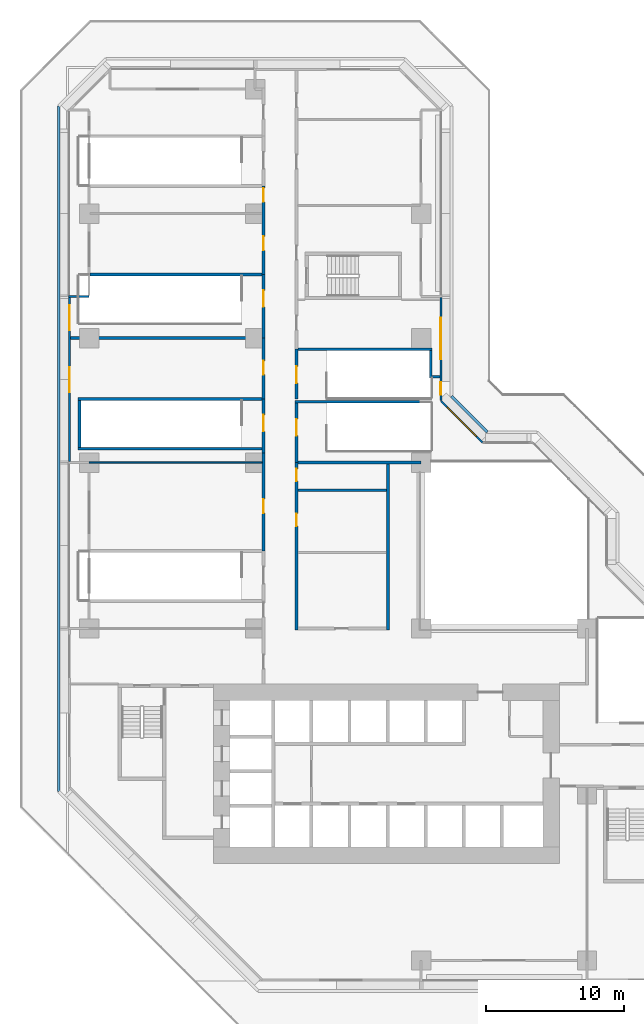
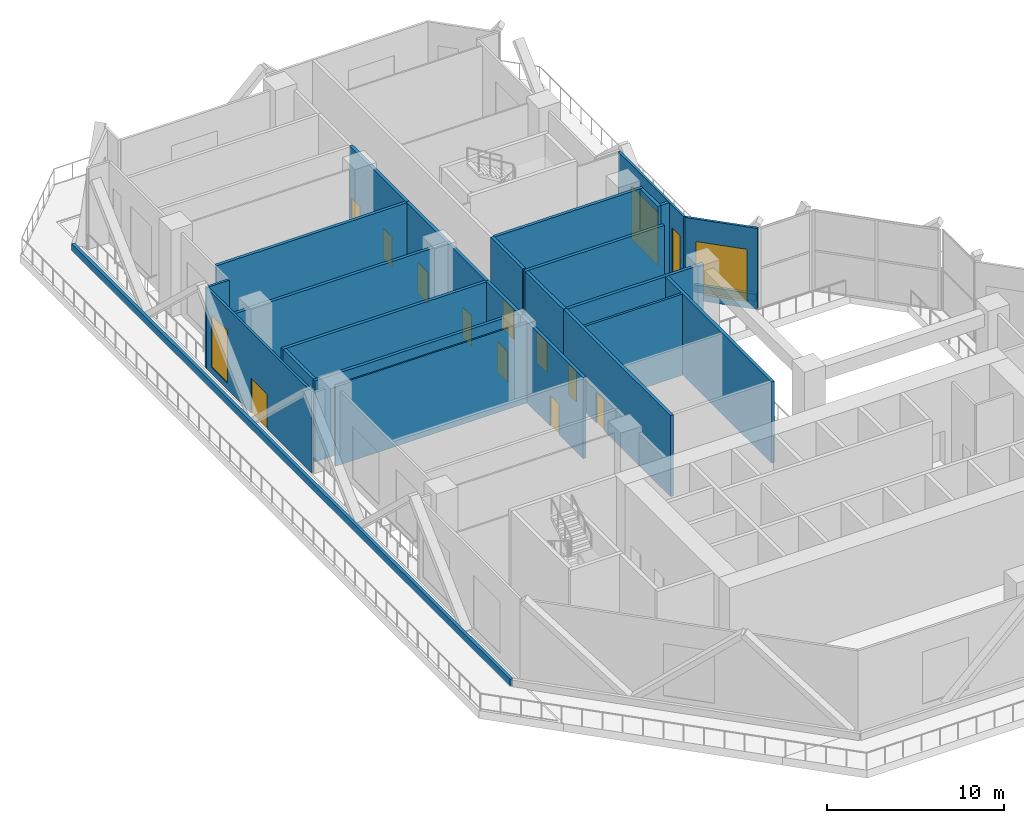
# One storey, part 7 of 16: 27 walls, 11 doors, 4 windows, 15 openings.
"""IFC4 building model written with IfcOpenShell, lengths in metres."""

from ifc_helpers import new_model, si_unit, direction, frame, frame_2d, origin, place, context, subcontext, project, spatial, rectangle, extrude, material, layer, layer_set, type_object, element, fill, save


model = new_model("IFC4")

# Units and contexts
model_context = context("Model", 3, precision=1e-05, world=origin(), true_north=direction((0.0, 1.0)))
body_context = subcontext(model_context, "Body", "Model", "MODEL_VIEW")
ifc_project = project(units=[si_unit("LENGTHUNIT", "METRE"), si_unit("AREAUNIT", "SQUARE_METRE"), si_unit("VOLUMEUNIT", "CUBIC_METRE"), si_unit("PLANEANGLEUNIT", "RADIAN"), si_unit("MASSUNIT", "GRAM", prefix="KILO")], contexts=[model_context])

# Site, building, storey
site_placement = place(None, origin())
site = spatial("IfcSite", under=ifc_project, at=site_placement, CompositionType="ELEMENT")
building_placement = place(site_placement, origin())
building = spatial("IfcBuilding", under=site, at=building_placement, Name="Chenar Terraces", CompositionType="ELEMENT")
storey_placement = place(building_placement, frame((0.0, 0.0, 35.39990234375)))
storey = spatial("IfcBuildingStorey", under=building, at=storey_placement, Name="L06", CompositionType="ELEMENT", Elevation=35.39990234375)

# Wall, opening, door
ifc_material_1 = material(Name="Gypsum board on steel studs with fire boards", Category="steel")
ifc_layer_1 = layer(ifc_material_1, 0.199951171875)
ifc_layer_set_1 = layer_set([ifc_layer_1], Name="Gypsum board on steel studs with fire boards")
wall_type_1 = type_object("IfcWallType", Name="Corridor wall 200", PredefinedType="PARTITIONING", material=ifc_layer_set_1)
wall_1_placement = place(storey_placement, frame((12.60009765625, 29.60009765625, 0.0), z_axis=(0.0, 0.0, 1.0), x_axis=(0.0, 1.0, 0.0)))
wall_1 = element("IfcWall", 1, at=wall_1_placement, inside=storey, type_object=wall_type_1, Name="Partition L06-017", PredefinedType="PARTITIONING", context=body_context, shape_type="SweptSolid", body=[
    extrude(rectangle(XDim=7.099853515625, YDim=0.199951171875, at=frame_2d((3.5498046875, 0.0))), origin(), (0.0, 0.0, 1.0), 5.60009765625),
])
opening_1_placement = place(wall_1_placement, frame((2.75, 0.0, 0.0)))
opening_1 = element("IfcOpeningElement", 2, at=opening_1_placement, cuts=wall_1, Name="Opening DL06-16", PredefinedType="OPENING", context=body_context, shape_type="SweptSolid", body=[
    extrude(rectangle(XDim=1.0, YDim=2.10009765625, at=frame_2d((0.5, 1.050048828125))), frame((0.0, 0.10986328125, 0.0), z_axis=(0.0, -1.0, 0.0), x_axis=(1.0, 0.0, 0.0)), (0.0, 0.0, 1.0), 0.219970703125),
])
ifc_material_2 = material(Name="Steel-framed fire-resisting door leaf", Category="steel")
door_type_1 = type_object("IfcDoorType", Name="Fire door FD60 1000 x 2100", OperationType="SINGLE_SWING_LEFT", PredefinedType="DOOR", material=ifc_material_2)
door_1_placement = place(opening_1_placement, origin())
door_1 = element("IfcDoor", 3, at=door_1_placement, inside=storey, type_object=door_type_1, Name="Door DL06-16", OperationType="SINGLE_SWING_RIGHT", OverallHeight=2.10009765625, OverallWidth=1.0, PredefinedType="DOOR", context=body_context, shape_type="SweptSolid", body=[
    extrude(rectangle(XDim=1.0, YDim=2.10009765625, at=frame_2d((0.5, 1.050048828125))), frame((0.0, 0.02490234375, 0.0), z_axis=(0.0, -1.0, 0.0), x_axis=(1.0, 0.0, 0.0)), (0.0, 0.0, 1.0), 0.050048828125),
])
fill(opening_1, door_1)

wall_2_placement = place(storey_placement, frame((12.60009765625, 40.60009765625, 0.0), z_axis=(0.0, 0.0, 1.0), x_axis=(0.0, 1.0, 0.0)))
wall_2 = element("IfcWall", 4, at=wall_2_placement, inside=storey, type_object=wall_type_1, Name="Partition L06-019", PredefinedType="PARTITIONING", context=body_context, shape_type="SweptSolid", body=[
    extrude(rectangle(XDim=4.39990234375, YDim=0.199951171875, at=frame_2d((2.199951171875, 0.0))), origin(), (0.0, 0.0, 1.0), 5.60009765625),
])
opening_2_placement = place(wall_2_placement, frame((1.75, 0.0, 0.0)))
opening_2 = element("IfcOpeningElement", 5, at=opening_2_placement, cuts=wall_2, Name="Opening DL06-18", PredefinedType="OPENING", context=body_context, shape_type="SweptSolid", body=[
    extrude(rectangle(XDim=1.0, YDim=2.10009765625, at=frame_2d((0.5, 1.050048828125))), frame((0.0, 0.10986328125, 0.0), z_axis=(0.0, -1.0, 0.0), x_axis=(1.0, 0.0, 0.0)), (0.0, 0.0, 1.0), 0.219970703125),
])
door_2_placement = place(opening_2_placement, origin())
door_2 = element("IfcDoor", 6, at=door_2_placement, inside=storey, type_object=door_type_1, Name="Door DL06-18", OperationType="SINGLE_SWING_RIGHT", OverallHeight=2.10009765625, OverallWidth=1.0, PredefinedType="DOOR", context=body_context, shape_type="SweptSolid", body=[
    extrude(rectangle(XDim=1.0, YDim=2.10009765625, at=frame_2d((0.5, 1.050048828125))), frame((0.0, 0.02490234375, 0.0), z_axis=(0.0, -1.0, 0.0), x_axis=(1.0, 0.0, 0.0)), (0.0, 0.0, 1.0), 0.050048828125),
])
fill(opening_2, door_2)

# Wall, openings, doors
wall_3_placement = place(storey_placement, frame((12.60009765625, 49.60009765625, 0.0), z_axis=(0.0, 0.0, 1.0), x_axis=(0.0, 1.0, 0.0)))
wall_3 = element("IfcWall", 7, at=wall_3_placement, inside=storey, type_object=wall_type_1, Name="Partition L06-021", PredefinedType="PARTITIONING", context=body_context, shape_type="SweptSolid", body=[
    extrude(rectangle(XDim=6.39990234375, YDim=0.199951171875, at=frame_2d((3.199951171875, 0.0))), origin(), (0.0, 0.0, 1.0), 5.60009765625),
])
opening_3_placement = place(wall_3_placement, frame((1.75, 0.0, 0.0)))
opening_3 = element("IfcOpeningElement", 8, at=opening_3_placement, cuts=wall_3, Name="Opening DL06-19", PredefinedType="OPENING", context=body_context, shape_type="SweptSolid", body=[
    extrude(rectangle(XDim=1.0, YDim=2.10009765625, at=frame_2d((0.5, 1.050048828125))), frame((0.0, 0.10986328125, 0.0), z_axis=(0.0, -1.0, 0.0), x_axis=(1.0, 0.0, 0.0)), (0.0, 0.0, 1.0), 0.219970703125),
])
opening_4_placement = place(wall_3_placement, frame((5.25, 0.0, 0.0)))
opening_4 = element("IfcOpeningElement", 9, at=opening_4_placement, cuts=wall_3, Name="Opening DL06-20", PredefinedType="OPENING", context=body_context, shape_type="SweptSolid", body=[
    extrude(rectangle(XDim=1.0, YDim=2.10009765625, at=frame_2d((0.5, 1.050048828125))), frame((0.0, 0.10986328125, 0.0), z_axis=(0.0, -1.0, 0.0), x_axis=(1.0, 0.0, 0.0)), (0.0, 0.0, 1.0), 0.219970703125),
])
door_3_placement = place(opening_3_placement, origin())
door_3 = element("IfcDoor", 10, at=door_3_placement, inside=storey, type_object=door_type_1, Name="Door DL06-19", OperationType="SINGLE_SWING_RIGHT", OverallHeight=2.10009765625, OverallWidth=1.0, PredefinedType="DOOR", context=body_context, shape_type="SweptSolid", body=[
    extrude(rectangle(XDim=1.0, YDim=2.10009765625, at=frame_2d((0.5, 1.050048828125))), frame((0.0, 0.02490234375, 0.0), z_axis=(0.0, -1.0, 0.0), x_axis=(1.0, 0.0, 0.0)), (0.0, 0.0, 1.0), 0.050048828125),
])
fill(opening_3, door_3)
door_4_placement = place(opening_4_placement, origin())
door_4 = element("IfcDoor", 11, at=door_4_placement, inside=storey, type_object=door_type_1, Name="Door DL06-20", OperationType="SINGLE_SWING_RIGHT", OverallHeight=2.10009765625, OverallWidth=1.0, PredefinedType="DOOR", context=body_context, shape_type="SweptSolid", body=[
    extrude(rectangle(XDim=1.0, YDim=2.10009765625, at=frame_2d((0.5, 1.050048828125))), frame((0.0, 0.02490234375, 0.0), z_axis=(0.0, -1.0, 0.0), x_axis=(1.0, 0.0, 0.0)), (0.0, 0.0, 1.0), 0.050048828125),
])
fill(opening_4, door_4)

wall_4_placement = place(storey_placement, frame((15.0, 23.89990234375, 0.0), z_axis=(0.0, 0.0, 1.0), x_axis=(0.0, 1.0, 0.0)))
wall_4 = element("IfcWall", 12, at=wall_4_placement, inside=storey, type_object=wall_type_1, Name="Partition L06-025", PredefinedType="PARTITIONING", context=body_context, shape_type="SweptSolid", body=[
    extrude(rectangle(XDim=12.10009765625, YDim=0.199951171875, at=frame_2d((6.050048828125, 0.0))), origin(), (0.0, 0.0, 1.0), 5.60009765625),
])
opening_5_placement = place(wall_4_placement, frame((10.75, 0.0, 0.0)))
opening_5 = element("IfcOpeningElement", 13, at=opening_5_placement, cuts=wall_4, Name="Opening DL06-32", PredefinedType="OPENING", context=body_context, shape_type="SweptSolid", body=[
    extrude(rectangle(XDim=0.89990234375, YDim=2.10009765625, at=frame_2d((0.449951171875, 1.050048828125))), frame((0.0, 0.10986328125, 0.0), z_axis=(0.0, -1.0, 0.0), x_axis=(1.0, 0.0, 0.0)), (0.0, 0.0, 1.0), 0.219970703125),
])
opening_6_placement = place(wall_4_placement, frame((7.5, 0.0, 0.0)))
opening_6 = element("IfcOpeningElement", 14, at=opening_6_placement, cuts=wall_4, Name="Opening DL06-33", PredefinedType="OPENING", context=body_context, shape_type="SweptSolid", body=[
    extrude(rectangle(XDim=0.89990234375, YDim=2.10009765625, at=frame_2d((0.449951171875, 1.050048828125))), frame((0.0, 0.10986328125, 0.0), z_axis=(0.0, -1.0, 0.0), x_axis=(1.0, 0.0, 0.0)), (0.0, 0.0, 1.0), 0.219970703125),
])
ifc_material_3 = material(Name="Steel-framed fire-resisting door leaf", Category="steel")
door_type_2 = type_object("IfcDoorType", Name="Fire door FD60 900 x 2100", OperationType="SINGLE_SWING_LEFT", PredefinedType="DOOR", material=ifc_material_3)
door_5_placement = place(opening_5_placement, frame((0.89990234375, 0.0, 0.0), z_axis=(0.0, 0.0, 1.0), x_axis=(-1.0, 0.0, 0.0)))
door_5 = element("IfcDoor", 15, at=door_5_placement, inside=storey, type_object=door_type_2, Name="Door DL06-32", OperationType="SINGLE_SWING_LEFT", OverallHeight=2.10009765625, OverallWidth=0.89990234375, PredefinedType="DOOR", context=body_context, shape_type="SweptSolid", body=[
    extrude(rectangle(XDim=0.89990234375, YDim=2.10009765625, at=frame_2d((0.449951171875, 1.050048828125))), frame((0.0, 0.02490234375, 0.0), z_axis=(0.0, -1.0, 0.0), x_axis=(1.0, 0.0, 0.0)), (0.0, 0.0, 1.0), 0.050048828125),
])
fill(opening_5, door_5)
door_6_placement = place(opening_6_placement, frame((0.89990234375, 0.0, 0.0), z_axis=(0.0, 0.0, 1.0), x_axis=(-1.0, 0.0, 0.0)))
door_6 = element("IfcDoor", 16, at=door_6_placement, inside=storey, type_object=door_type_2, Name="Door DL06-33", OperationType="SINGLE_SWING_RIGHT", OverallHeight=2.10009765625, OverallWidth=0.89990234375, PredefinedType="DOOR", context=body_context, shape_type="SweptSolid", body=[
    extrude(rectangle(XDim=0.89990234375, YDim=2.10009765625, at=frame_2d((0.449951171875, 1.050048828125))), frame((0.0, 0.02490234375, 0.0), z_axis=(0.0, -1.0, 0.0), x_axis=(1.0, 0.0, 0.0)), (0.0, 0.0, 1.0), 0.050048828125),
])
fill(opening_6, door_6)

# Wall
wall_5_placement = place(storey_placement, frame((21.60009765625, 23.89990234375, 0.0), z_axis=(0.0, 0.0, 1.0), x_axis=(0.0, 1.0, 0.0)))
element("IfcWall", 17, at=wall_5_placement, inside=storey, type_object=wall_type_1, Name="Partition L06-037", PredefinedType="PARTITIONING", context=body_context, shape_type="SweptSolid", body=[
    extrude(rectangle(XDim=12.0, YDim=0.199951171875, at=frame_2d((6.0, 0.0))), origin(), (0.0, 0.0, 1.0), 5.60009765625),
])

# Wall, openings, windows
ifc_material_4 = material(Name="Aluminium framed glazing", Category="aluminium")
ifc_layer_2 = layer(ifc_material_4, 0.14990234375)
ifc_layer_set_2 = layer_set([ifc_layer_2], Name="Aluminium framed glazing")
wall_type_2 = type_object("IfcWallType", Name="Glazed flush facade wall 150", PredefinedType="SOLIDWALL", material=ifc_layer_set_2)
wall_6_placement = place(storey_placement, frame((25.425048828125, 40.5, 0.0), z_axis=(0.0, 0.0, 1.0), x_axis=(0.0, 1.0, 0.0)))
wall_6 = element("IfcWall", 18, at=wall_6_placement, inside=storey, type_object=wall_type_2, Name="Glazed flush facade wall", PredefinedType="SOLIDWALL", context=body_context, shape_type="SweptSolid", body=[
    extrude(rectangle(XDim=7.425048828125, YDim=0.14990234375, at=frame_2d((3.71240234375, 0.0))), origin(), (0.0, 0.0, 1.0), 5.60009765625),
])
opening_7_placement = place(wall_6_placement, frame((0.39990234375, 0.0, 0.449951171875)))
opening_7 = element("IfcOpeningElement", 19, at=opening_7_placement, cuts=wall_6, Name="Opening W90x360", PredefinedType="OPENING", context=body_context, shape_type="SweptSolid", body=[
    extrude(rectangle(XDim=0.89990234375, YDim=3.60009765625, at=frame_2d((0.449951171875, 1.800048828125))), frame((0.0, 0.0849609375, 0.0), z_axis=(0.0, -1.0, 0.0), x_axis=(1.0, 0.0, 0.0)), (0.0, 0.0, 1.0), 0.169921875),
])
opening_8_placement = place(wall_6_placement, frame((2.987548828125, 0.0, 0.449951171875)))
opening_8 = element("IfcOpeningElement", 20, at=opening_8_placement, cuts=wall_6, Name="Opening W300x360", PredefinedType="OPENING", context=body_context, shape_type="SweptSolid", body=[
    extrude(rectangle(XDim=3.0, YDim=3.60009765625, at=frame_2d((1.5, 1.800048828125))), frame((0.0, 0.0849609375, 0.0), z_axis=(0.0, -1.0, 0.0), x_axis=(1.0, 0.0, 0.0)), (0.0, 0.0, 1.0), 0.169921875),
])
ifc_material_5 = material(Name="Low emissivity double glazing, aluminium frame", Category="aluminium")
window_type_1 = type_object("IfcWindowType", Name="Fixed light 3000 x 3600", PartitioningType="SINGLE_PANEL", PredefinedType="WINDOW", material=ifc_material_5)
window_1_placement = place(opening_8_placement, origin())
window_1 = element("IfcWindow", 21, at=window_1_placement, inside=storey, type_object=window_type_1, Name="Window", OverallHeight=3.60009765625, OverallWidth=3.0, PartitioningType="SINGLE_PANEL", PredefinedType="WINDOW", context=body_context, shape_type="SweptSolid", body=[
    extrude(rectangle(XDim=3.0, YDim=3.60009765625, at=frame_2d((1.5, 1.800048828125))), frame((0.0, 0.030029296875, 0.0), z_axis=(0.0, -1.0, 0.0), x_axis=(1.0, 0.0, 0.0)), (0.0, 0.0, 1.0), 0.06005859375),
])
fill(opening_8, window_1)
ifc_material_6 = material(Name="Low emissivity double glazing, aluminium frame", Category="aluminium")
window_type_2 = type_object("IfcWindowType", Name="Fixed light 900 x 3600", PartitioningType="SINGLE_PANEL", PredefinedType="WINDOW", material=ifc_material_6)
window_2_placement = place(opening_7_placement, origin())
window_2 = element("IfcWindow", 22, at=window_2_placement, inside=storey, type_object=window_type_2, Name="Window", OverallHeight=3.60009765625, OverallWidth=0.89990234375, PartitioningType="SINGLE_PANEL", PredefinedType="WINDOW", context=body_context, shape_type="SweptSolid", body=[
    extrude(rectangle(XDim=0.89990234375, YDim=3.60009765625, at=frame_2d((0.449951171875, 1.800048828125))), frame((0.0, 0.030029296875, 0.0), z_axis=(0.0, -1.0, 0.0), x_axis=(1.0, 0.0, 0.0)), (0.0, 0.0, 1.0), 0.06005859375),
])
fill(opening_7, window_2)

# Wall, openings, window, door
wall_7_placement = place(storey_placement, frame((-1.425048828125, 47.925048828125, 0.0), z_axis=(0.0, 0.0, 1.0), x_axis=(0.0, -1.0, 0.0)))
wall_7 = element("IfcWall", 23, at=wall_7_placement, inside=storey, type_object=wall_type_2, Name="Glazed flush facade wall", PredefinedType="SOLIDWALL", context=body_context, shape_type="SweptSolid", body=[
    extrude(rectangle(XDim=11.85009765625, YDim=0.14990234375, at=frame_2d((5.925048828125, 0.0))), origin(), (0.0, 0.0, 1.0), 5.60009765625),
])
opening_9_placement = place(wall_7_placement, frame((0.5625, 0.0, 0.449951171875)))
opening_9 = element("IfcOpeningElement", 24, at=opening_9_placement, cuts=wall_7, Name="Opening W180x360", PredefinedType="OPENING", context=body_context, shape_type="SweptSolid", body=[
    extrude(rectangle(XDim=1.800048828125, YDim=3.60009765625, at=frame_2d((0.89990234375, 1.800048828125))), frame((0.0, 0.0849609375, 0.0), z_axis=(0.0, -1.0, 0.0), x_axis=(1.0, 0.0, 0.0)), (0.0, 0.0, 1.0), 0.169921875),
])
opening_10_placement = place(wall_7_placement, frame((5.050048828125, 0.0, 0.0)))
opening_10 = element("IfcOpeningElement", 25, at=opening_10_placement, cuts=wall_7, Name="Opening DL06-X2", PredefinedType="OPENING", context=body_context, shape_type="SweptSolid", body=[
    extrude(rectangle(XDim=1.800048828125, YDim=2.39990234375, at=frame_2d((0.89990234375, 1.199951171875))), frame((0.0, 0.0849609375, 0.0), z_axis=(0.0, -1.0, 0.0), x_axis=(1.0, 0.0, 0.0)), (0.0, 0.0, 1.0), 0.169921875),
])
ifc_material_7 = material(Name="Low emissivity double glazing, aluminium frame", Category="aluminium")
window_type_3 = type_object("IfcWindowType", Name="Fixed light 1800 x 3600", PartitioningType="SINGLE_PANEL", PredefinedType="WINDOW", material=ifc_material_7)
window_3_placement = place(opening_9_placement, origin())
window_3 = element("IfcWindow", 26, at=window_3_placement, inside=storey, type_object=window_type_3, Name="Window", OverallHeight=3.60009765625, OverallWidth=1.800048828125, PartitioningType="SINGLE_PANEL", PredefinedType="WINDOW", context=body_context, shape_type="SweptSolid", body=[
    extrude(rectangle(XDim=1.800048828125, YDim=3.60009765625, at=frame_2d((0.89990234375, 1.800048828125))), frame((0.0, 0.030029296875, 0.0), z_axis=(0.0, -1.0, 0.0), x_axis=(1.0, 0.0, 0.0)), (0.0, 0.0, 1.0), 0.06005859375),
])
fill(opening_9, window_3)
ifc_material_8 = material(Name="Low emissivity double glazing, aluminium frame", Category="aluminium")
door_type_3 = type_object("IfcDoorType", Name="Terrace glazed double door 1800 x 2400", OperationType="DOUBLE_DOOR_SINGLE_SWING", PredefinedType="DOOR", material=ifc_material_8)
door_7_placement = place(opening_10_placement, origin())
door_7 = element("IfcDoor", 27, at=door_7_placement, inside=storey, type_object=door_type_3, Name="Terrace glazed door", OperationType="DOUBLE_DOOR_SINGLE_SWING", OverallHeight=2.39990234375, OverallWidth=1.800048828125, PredefinedType="DOOR", context=body_context, shape_type="SweptSolid", body=[
    extrude(rectangle(XDim=1.800048828125, YDim=2.39990234375, at=frame_2d((0.89990234375, 1.199951171875))), frame((0.0, 0.02490234375, 0.0), z_axis=(0.0, -1.0, 0.0), x_axis=(1.0, 0.0, 0.0)), (0.0, 0.0, 1.0), 0.050048828125),
])
fill(opening_10, door_7)

# Walls
ifc_material_9 = material(Name="Gypsum board on steel studs", Category="steel")
ifc_layer_3 = layer(ifc_material_9, 0.10009765625)
ifc_layer_set_3 = layer_set([ifc_layer_3], Name="Gypsum board on steel studs")
wall_type_3 = type_object("IfcWallType", Name="Gypsum partition 100", PredefinedType="PARTITIONING", material=ifc_layer_set_3)
wall_8_placement = place(storey_placement, frame((0.0, 36.0, 0.0), z_axis=(0.0, 0.0, 1.0), x_axis=(1.0, 0.0, 0.0)))
element("IfcWall", 28, at=wall_8_placement, inside=storey, type_object=wall_type_3, Name="Partition L06-007", PredefinedType="PARTITIONING", context=body_context, shape_type="SweptSolid", body=[
    extrude(rectangle(XDim=12.5, YDim=0.10009765625, at=frame_2d((6.25, 0.0))), origin(), (0.0, 0.0, 1.0), 5.60009765625),
])
ifc_material_10 = material(Name="Terracotta cladding on insulated backing", Category="masonry")
ifc_layer_4 = layer(ifc_material_10, 0.14990234375)
ifc_layer_set_4 = layer_set([ifc_layer_4], Name="Terracotta cladding on insulated backing")
wall_type_4 = type_object("IfcWallType", Name="Loggia return wall 150", PredefinedType="SOLIDWALL", material=ifc_layer_set_4)
wall_9_placement = place(storey_placement, frame((-1.5, 48.0, 0.0), z_axis=(0.0, 0.0, 1.0), x_axis=(1.0, 0.0, 0.0)))
element("IfcWall", 29, at=wall_9_placement, inside=storey, type_object=wall_type_4, Name="Loggia return wall", PredefinedType="SOLIDWALL", context=body_context, shape_type="SweptSolid", body=[
    extrude(rectangle(XDim=1.5, YDim=0.14990234375, at=frame_2d((0.75, 0.0))), origin(), (0.0, 0.0, 1.0), 5.60009765625),
])
ifc_material_11 = material(Name="Reinforced concrete C40/50", Category="concrete")
ifc_layer_5 = layer(ifc_material_11, 0.199951171875)
ifc_layer_set_5 = layer_set([ifc_layer_5], Name="Reinforced concrete C40/50")
wall_type_5 = type_object("IfcWallType", Name="Stair enclosure wall 200 concrete", PredefinedType="SOLIDWALL", material=ifc_layer_set_5)
wall_10_placement = place(storey_placement, frame((-1.35107421875, 45.0, 0.0), z_axis=(0.0, 0.0, 1.0), x_axis=(1.0, 0.0, 0.0)))
element("IfcWall", 30, at=wall_10_placement, inside=storey, type_object=wall_type_5, Name="Stair enclosure wall L06-002", PredefinedType="SOLIDWALL", context=body_context, shape_type="SweptSolid", body=[
    extrude(rectangle(XDim=13.85107421875, YDim=0.199951171875, at=frame_2d((6.925537109375, 0.0))), origin(), (0.0, 0.0, 1.0), 5.60009765625),
])
for number, where, z_axis, x_axis, name in (
    (31, (-0.800048828125, 37.0, 0.0), (0.0, 0.0, 1.0), (1.0, 0.0, 0.0), "Stair enclosure wall L06-003"),
    (32, (-0.800048828125, 40.60009765625, 0.0), (0.0, 0.0, 1.0), (1.0, 0.0, 0.0), "Stair enclosure wall L06-004"),
):
    element("IfcWall", number, at=place(storey_placement, frame(where, z_axis=z_axis, x_axis=x_axis)), inside=storey, type_object=wall_type_5, Name=name, PredefinedType="SOLIDWALL", context=body_context, shape_type="SweptSolid", body=[
        extrude(rectangle(XDim=13.300048828125, YDim=0.199951171875, at=frame_2d((6.64990234375, 0.0))), origin(), (0.0, 0.0, 1.0), 5.60009765625),
    ])
wall_11_placement = place(storey_placement, frame((-0.699951171875, 37.10009765625, 0.0), z_axis=(0.0, 0.0, 1.0), x_axis=(0.0, 1.0, 0.0)))
element("IfcWall", 33, at=wall_11_placement, inside=storey, type_object=wall_type_5, Name="Stair enclosure wall L06-005", PredefinedType="SOLIDWALL", context=body_context, shape_type="SweptSolid", body=[
    extrude(rectangle(XDim=3.39990234375, YDim=0.199951171875, at=frame_2d((1.699951171875, 0.0))), origin(), (0.0, 0.0, 1.0), 5.60009765625),
])
wall_12_placement = place(storey_placement, frame((0.073974609375, 49.60009765625, 0.0), z_axis=(0.0, 0.0, 1.0), x_axis=(1.0, 0.0, 0.0)))
element("IfcWall", 34, at=wall_12_placement, inside=storey, type_object=wall_type_5, Name="Stair enclosure wall L06-010", PredefinedType="SOLIDWALL", context=body_context, shape_type="SweptSolid", body=[
    extrude(rectangle(XDim=12.426025390625, YDim=0.199951171875, at=frame_2d((6.212890625, 0.0))), origin(), (0.0, 0.0, 1.0), 5.60009765625),
])

# Wall, opening, door
wall_13_placement = place(storey_placement, frame((12.60009765625, 36.699951171875, 0.0), z_axis=(0.0, 0.0, 1.0), x_axis=(0.0, 1.0, 0.0)))
wall_13 = element("IfcWall", 35, at=wall_13_placement, inside=storey, type_object=wall_type_5, Name="Stair enclosure wall L06-018", PredefinedType="SOLIDWALL", context=body_context, shape_type="SweptSolid", body=[
    extrude(rectangle(XDim=3.900146484375, YDim=0.199951171875, at=frame_2d((1.9501953125, 0.0))), origin(), (0.0, 0.0, 1.0), 5.60009765625),
])
opening_11_placement = place(wall_13_placement, frame((1.550048828125, 0.0, 0.0)))
opening_11 = element("IfcOpeningElement", 36, at=opening_11_placement, cuts=wall_13, Name="Opening DL06-31", PredefinedType="OPENING", context=body_context, shape_type="SweptSolid", body=[
    extrude(rectangle(XDim=1.199951171875, YDim=2.10009765625, at=frame_2d((0.60009765625, 1.050048828125))), frame((0.0, 0.10986328125, 0.0), z_axis=(0.0, -1.0, 0.0), x_axis=(1.0, 0.0, 0.0)), (0.0, 0.0, 1.0), 0.219970703125),
])
ifc_material_12 = material(Name="Steel-framed fire-resisting door leaf", Category="steel")
door_type_4 = type_object("IfcDoorType", Name="Fire door FD120 1200 x 2100", OperationType="SINGLE_SWING_LEFT", PredefinedType="DOOR", material=ifc_material_12)
door_8_placement = place(opening_11_placement, origin())
door_8 = element("IfcDoor", 37, at=door_8_placement, inside=storey, type_object=door_type_4, Name="Door DL06-31", OperationType="SINGLE_SWING_RIGHT", OverallHeight=2.10009765625, OverallWidth=1.199951171875, PredefinedType="DOOR", context=body_context, shape_type="SweptSolid", body=[
    extrude(rectangle(XDim=1.199951171875, YDim=2.10009765625, at=frame_2d((0.60009765625, 1.050048828125))), frame((0.0, 0.02490234375, 0.0), z_axis=(0.0, -1.0, 0.0), x_axis=(1.0, 0.0, 0.0)), (0.0, 0.0, 1.0), 0.050048828125),
])
fill(opening_11, door_8)

wall_14_placement = place(storey_placement, frame((12.60009765625, 45.0, 0.0), z_axis=(0.0, 0.0, 1.0), x_axis=(0.0, 1.0, 0.0)))
wall_14 = element("IfcWall", 38, at=wall_14_placement, inside=storey, type_object=wall_type_5, Name="Stair enclosure wall L06-020", PredefinedType="SOLIDWALL", context=body_context, shape_type="SweptSolid", body=[
    extrude(rectangle(XDim=4.60009765625, YDim=0.199951171875, at=frame_2d((2.300048828125, 0.0))), origin(), (0.0, 0.0, 1.0), 5.60009765625),
])
opening_12_placement = place(wall_14_placement, frame((2.25, 0.0, 0.0)))
opening_12 = element("IfcOpeningElement", 39, at=opening_12_placement, cuts=wall_14, Name="Opening DL06-26", PredefinedType="OPENING", context=body_context, shape_type="SweptSolid", body=[
    extrude(rectangle(XDim=1.199951171875, YDim=2.10009765625, at=frame_2d((0.60009765625, 1.050048828125))), frame((0.0, 0.10986328125, 0.0), z_axis=(0.0, -1.0, 0.0), x_axis=(1.0, 0.0, 0.0)), (0.0, 0.0, 1.0), 0.219970703125),
])
door_9_placement = place(opening_12_placement, origin())
door_9 = element("IfcDoor", 40, at=door_9_placement, inside=storey, type_object=door_type_4, Name="Door DL06-26", OperationType="SINGLE_SWING_RIGHT", OverallHeight=2.10009765625, OverallWidth=1.199951171875, PredefinedType="DOOR", context=body_context, shape_type="SweptSolid", body=[
    extrude(rectangle(XDim=1.199951171875, YDim=2.10009765625, at=frame_2d((0.60009765625, 1.050048828125))), frame((0.0, 0.02490234375, 0.0), z_axis=(0.0, -1.0, 0.0), x_axis=(1.0, 0.0, 0.0)), (0.0, 0.0, 1.0), 0.050048828125),
])
fill(opening_12, door_9)

# Wall
wall_15_placement = place(storey_placement, frame((14.89990234375, 40.39990234375, 0.0), z_axis=(0.0, 0.0, 1.0), x_axis=(1.0, 0.0, 0.0)))
element("IfcWall", 41, at=wall_15_placement, inside=storey, type_object=wall_type_5, Name="Stair enclosure wall L06-024", PredefinedType="SOLIDWALL", context=body_context, shape_type="SweptSolid", body=[
    extrude(rectangle(XDim=9.10009765625, YDim=0.199951171875, at=frame_2d((4.550048828125, 0.0))), origin(), (0.0, 0.0, 1.0), 5.60009765625),
])

# Wall, opening, door
wall_16_placement = place(storey_placement, frame((15.0, 36.0, 0.0), z_axis=(0.0, 0.0, 1.0), x_axis=(0.0, 1.0, 0.0)))
wall_16 = element("IfcWall", 42, at=wall_16_placement, inside=storey, type_object=wall_type_5, Name="Stair enclosure wall L06-026", PredefinedType="SOLIDWALL", context=body_context, shape_type="SweptSolid", body=[
    extrude(rectangle(XDim=4.300048828125, YDim=0.199951171875, at=frame_2d((2.14990234375, 0.0))), origin(), (0.0, 0.0, 1.0), 5.60009765625),
])
opening_13_placement = place(wall_16_placement, frame((1.949951171875, 0.0, 0.0)))
opening_13 = element("IfcOpeningElement", 43, at=opening_13_placement, cuts=wall_16, Name="Opening DL06-29", PredefinedType="OPENING", context=body_context, shape_type="SweptSolid", body=[
    extrude(rectangle(XDim=1.199951171875, YDim=2.10009765625, at=frame_2d((0.60009765625, 1.050048828125))), frame((0.0, 0.10986328125, 0.0), z_axis=(0.0, -1.0, 0.0), x_axis=(1.0, 0.0, 0.0)), (0.0, 0.0, 1.0), 0.219970703125),
])
door_10_placement = place(opening_13_placement, frame((1.199951171875, 0.0, 0.0), z_axis=(0.0, 0.0, 1.0), x_axis=(-1.0, 0.0, 0.0)))
door_10 = element("IfcDoor", 44, at=door_10_placement, inside=storey, type_object=door_type_4, Name="Door DL06-29", OperationType="SINGLE_SWING_LEFT", OverallHeight=2.10009765625, OverallWidth=1.199951171875, PredefinedType="DOOR", context=body_context, shape_type="SweptSolid", body=[
    extrude(rectangle(XDim=1.199951171875, YDim=2.10009765625, at=frame_2d((0.60009765625, 1.050048828125))), frame((0.0, 0.02490234375, 0.0), z_axis=(0.0, -1.0, 0.0), x_axis=(1.0, 0.0, 0.0)), (0.0, 0.0, 1.0), 0.050048828125),
])
fill(opening_13, door_10)

wall_17_placement = place(storey_placement, frame((15.0, 40.60009765625, 0.0), z_axis=(0.0, 0.0, 1.0), x_axis=(0.0, 1.0, 0.0)))
wall_17 = element("IfcWall", 45, at=wall_17_placement, inside=storey, type_object=wall_type_5, Name="Stair enclosure wall L06-027", PredefinedType="SOLIDWALL", context=body_context, shape_type="SweptSolid", body=[
    extrude(rectangle(XDim=3.599853515625, YDim=0.199951171875, at=frame_2d((1.7998046875, 0.0))), origin(), (0.0, 0.0, 1.0), 5.60009765625),
])
opening_14_placement = place(wall_17_placement, frame((1.14990234375, 0.0, 0.0)))
opening_14 = element("IfcOpeningElement", 46, at=opening_14_placement, cuts=wall_17, Name="Opening DL06-30", PredefinedType="OPENING", context=body_context, shape_type="SweptSolid", body=[
    extrude(rectangle(XDim=1.199951171875, YDim=2.10009765625, at=frame_2d((0.60009765625, 1.050048828125))), frame((0.0, 0.10986328125, 0.0), z_axis=(0.0, -1.0, 0.0), x_axis=(1.0, 0.0, 0.0)), (0.0, 0.0, 1.0), 0.219970703125),
])
door_11_placement = place(opening_14_placement, frame((1.199951171875, 0.0, 0.0), z_axis=(0.0, 0.0, 1.0), x_axis=(-1.0, 0.0, 0.0)))
door_11 = element("IfcDoor", 47, at=door_11_placement, inside=storey, type_object=door_type_4, Name="Door DL06-30", OperationType="SINGLE_SWING_LEFT", OverallHeight=2.10009765625, OverallWidth=1.199951171875, PredefinedType="DOOR", context=body_context, shape_type="SweptSolid", body=[
    extrude(rectangle(XDim=1.199951171875, YDim=2.10009765625, at=frame_2d((0.60009765625, 1.050048828125))), frame((0.0, 0.02490234375, 0.0), z_axis=(0.0, -1.0, 0.0), x_axis=(1.0, 0.0, 0.0)), (0.0, 0.0, 1.0), 0.050048828125),
])
fill(opening_14, door_11)

# Walls
wall_18_placement = place(storey_placement, frame((15.10009765625, 36.0, 0.0), z_axis=(0.0, 0.0, 1.0), x_axis=(1.0, 0.0, 0.0)))
element("IfcWall", 48, at=wall_18_placement, inside=storey, type_object=wall_type_5, Name="Stair enclosure wall L06-032", PredefinedType="SOLIDWALL", context=body_context, shape_type="SweptSolid", body=[
    extrude(rectangle(XDim=8.89990234375, YDim=0.199951171875, at=frame_2d((4.449951171875, 0.0))), origin(), (0.0, 0.0, 1.0), 5.60009765625),
])
wall_19_placement = place(storey_placement, frame((15.10009765625, 44.199951171875, 0.0), z_axis=(0.0, 0.0, 1.0), x_axis=(1.0, 0.0, 0.0)))
element("IfcWall", 49, at=wall_19_placement, inside=storey, type_object=wall_type_5, Name="Stair enclosure wall L06-033", PredefinedType="SOLIDWALL", context=body_context, shape_type="SweptSolid", body=[
    extrude(rectangle(XDim=9.699951171875, YDim=0.199951171875, at=frame_2d((4.85009765625, 0.0))), origin(), (0.0, 0.0, 1.0), 5.60009765625),
])
wall_20_placement = place(storey_placement, frame((24.699951171875, 42.10009765625, 0.0), z_axis=(0.0, 0.0, 1.0), x_axis=(0.0, 1.0, 0.0)))
element("IfcWall", 50, at=wall_20_placement, inside=storey, type_object=wall_type_5, Name="Stair enclosure wall L06-039", PredefinedType="SOLIDWALL", context=body_context, shape_type="SweptSolid", body=[
    extrude(rectangle(XDim=2.0, YDim=0.199951171875, at=frame_2d((1.0, 0.0))), origin(), (0.0, 0.0, 1.0), 5.60009765625),
])
wall_21_placement = place(storey_placement, frame((24.800048828125, 42.199951171875, 0.0), z_axis=(0.0, 0.0, 1.0), x_axis=(1.0, 0.0, 0.0)))
element("IfcWall", 51, at=wall_21_placement, inside=storey, type_object=wall_type_5, Name="Stair enclosure wall L06-040", PredefinedType="SOLIDWALL", context=body_context, shape_type="SweptSolid", body=[
    extrude(rectangle(XDim=0.551025390625, YDim=0.199951171875, at=frame_2d((0.275390625, 0.0))), origin(), (0.0, 0.0, 1.0), 5.60009765625),
])
ifc_material_13 = material(Name="Terracotta cladding on insulated backing", Category="masonry")
ifc_layer_6 = layer(ifc_material_13, 0.199951171875)
ifc_layer_set_6 = layer_set([ifc_layer_6], Name="Terracotta cladding on insulated backing")
wall_type_6 = type_object("IfcWallType", Name="Terrace parapet upstand 200", PredefinedType="PARAPET", material=ifc_layer_set_6)
wall_22_placement = place(storey_placement, frame((-2.199951171875, 12.2099609375, 0.0), z_axis=(0.0, 0.0, 1.0), x_axis=(0.0, 1.0, 0.0)))
element("IfcWall", 52, at=wall_22_placement, inside=storey, type_object=wall_type_6, Name="Terrace parapet", PredefinedType="PARAPET", context=body_context, shape_type="SweptSolid", body=[
    extrude(rectangle(XDim=49.580078125, YDim=0.199951171875, at=frame_2d((24.7900390625, 0.0))), origin(), (0.0, 0.0, 1.0), 0.5),
])
wall_23_placement = place(storey_placement, frame((26.199951171875, 40.7900390625, 0.0), z_axis=(0.0, 0.0, 1.0), x_axis=(0.707106781187, -0.707106781187, 0.0)))
element("IfcWall", 53, at=wall_23_placement, inside=storey, type_object=wall_type_6, Name="Terrace parapet", PredefinedType="PARAPET", context=body_context, shape_type="SweptSolid", body=[
    extrude(rectangle(XDim=3.662841796875, YDim=0.199951171875, at=frame_2d((1.83154296875, 0.0))), origin(), (0.0, 0.0, 1.0), 0.5),
])

# Wall, opening, window
ifc_material_14 = material(Name="Terracotta cladding on insulated backing", Category="masonry")
ifc_layer_7 = layer(ifc_material_14, 0.14990234375)
ifc_layer_set_7 = layer_set([ifc_layer_7], Name="Terracotta cladding on insulated backing")
wall_type_7 = type_object("IfcWallType", Name="Terracotta rainscreen wall 150", PredefinedType="SOLIDWALL", material=ifc_layer_set_7)
wall_24_placement = place(storey_placement, frame((28.447021484375, 37.447021484375, 0.0), z_axis=(0.0, 0.0, 1.0), x_axis=(-0.707106781187, 0.707106781187, 0.0)))
wall_24 = element("IfcWall", 54, at=wall_24_placement, inside=storey, type_object=wall_type_7, Name="Terracotta rainscreen wall", PredefinedType="SOLIDWALL", context=body_context, shape_type="SweptSolid", body=[
    extrude(rectangle(XDim=4.24267578125, YDim=0.14990234375, at=frame_2d((2.121337890625, 0.0))), origin(), (0.0, 0.0, 1.0), 5.60009765625),
])
opening_15_placement = place(wall_24_placement, frame((0.621337890625, 0.0, 0.449951171875)))
opening_15 = element("IfcOpeningElement", 55, at=opening_15_placement, cuts=wall_24, Name="Opening W300x360", PredefinedType="OPENING", context=body_context, shape_type="SweptSolid", body=[
    extrude(rectangle(XDim=3.0, YDim=3.60009765625, at=frame_2d((1.5, 1.800048828125))), frame((0.0, 0.0849609375, 0.0), z_axis=(0.0, -1.0, 0.0), x_axis=(1.0, 0.0, 0.0)), (0.0, 0.0, 1.0), 0.169921875),
])
window_4_placement = place(opening_15_placement, origin())
window_4 = element("IfcWindow", 56, at=window_4_placement, inside=storey, type_object=window_type_1, Name="Window", OverallHeight=3.60009765625, OverallWidth=3.0, PartitioningType="SINGLE_PANEL", PredefinedType="WINDOW", context=body_context, shape_type="SweptSolid", body=[
    extrude(rectangle(XDim=3.0, YDim=3.60009765625, at=frame_2d((1.5, 1.800048828125))), frame((0.0, 0.030029296875, 0.0), z_axis=(0.0, -1.0, 0.0), x_axis=(1.0, 0.0, 0.0)), (0.0, 0.0, 1.0), 0.06005859375),
])
fill(opening_15, window_4)

# Wall
ifc_material_15 = material(Name="Moisture-resistant gypsum board on steel studs", Category="steel")
ifc_layer_8 = layer(ifc_material_15, 0.14990234375)
ifc_layer_set_8 = layer_set([ifc_layer_8], Name="Moisture-resistant gypsum board on steel studs")
wall_type_8 = type_object("IfcWallType", Name="Wet-room partition 150", PredefinedType="PARTITIONING", material=ifc_layer_set_8)
wall_25_placement = place(storey_placement, frame((15.10009765625, 34.0, 0.0), z_axis=(0.0, 0.0, 1.0), x_axis=(1.0, 0.0, 0.0)))
element("IfcWall", 57, at=wall_25_placement, inside=storey, type_object=wall_type_8, Name="Partition L06-031", PredefinedType="PARTITIONING", context=body_context, shape_type="SweptSolid", body=[
    extrude(rectangle(XDim=6.39990234375, YDim=0.14990234375, at=frame_2d((3.199951171875, 0.0))), origin(), (0.0, 0.0, 1.0), 5.60009765625),
])

save(model, "model.ifc")
